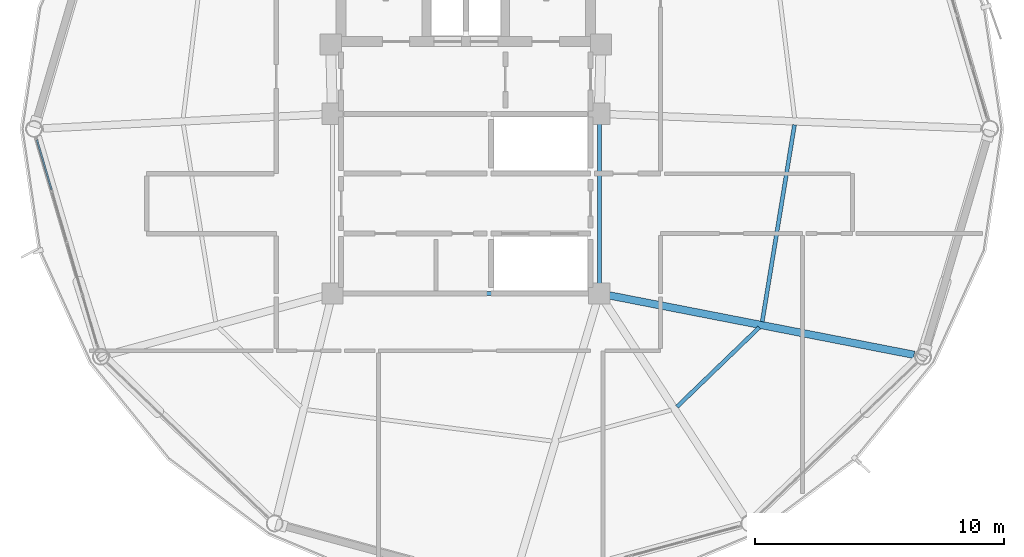
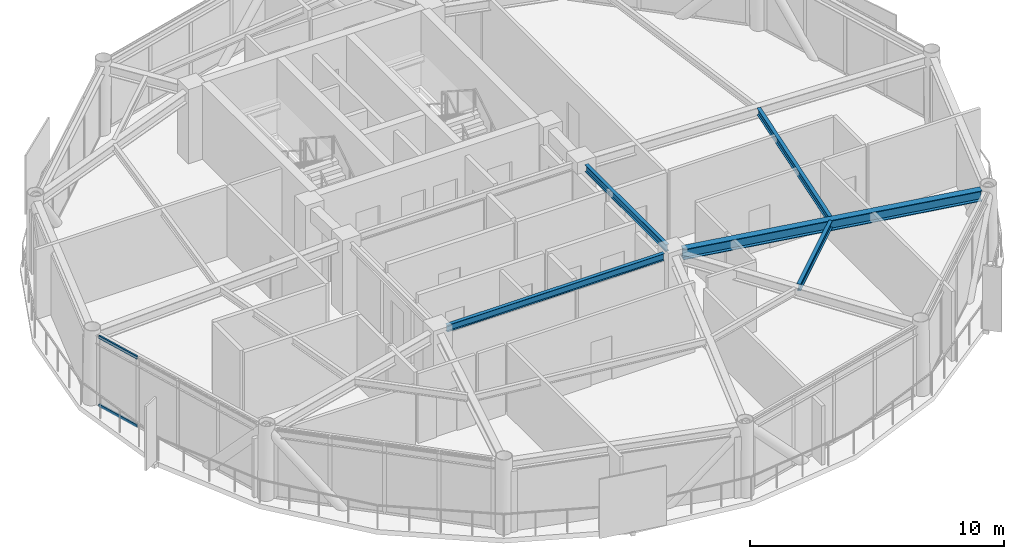
# One storey, part 10 of 28: 5 beams, 2 members, 1 element without a shape of its own.
"""IFC4 building model written with IfcOpenShell, lengths in metres."""

from ifc_helpers import new_model, si_unit, direction, frame, origin, origin_2d, place, context, subcontext, project, spatial, hollow_rectangle, i_section, extrude, material, layer, layer_set, material_profile, profile_set, type_object, element, aggregate, save


model = new_model("IFC4")

# Units and contexts
model_context = context("Model", 3, precision=1e-05, world=origin(), true_north=direction((0.0, 1.0)))
body_context = subcontext(model_context, "Body", "Model", "MODEL_VIEW")
ifc_project = project(units=[si_unit("LENGTHUNIT", "METRE"), si_unit("AREAUNIT", "SQUARE_METRE"), si_unit("VOLUMEUNIT", "CUBIC_METRE"), si_unit("PLANEANGLEUNIT", "RADIAN"), si_unit("MASSUNIT", "GRAM", prefix="KILO")], contexts=[model_context])

# Site, building, storey
site_placement = place(None, origin())
site = spatial("IfcSite", under=ifc_project, at=site_placement, CompositionType="ELEMENT")
building_placement = place(site_placement, origin())
building = spatial("IfcBuilding", under=site, at=building_placement, Name="Varnakorn Sky Granary", CompositionType="ELEMENT")
storey_placement = place(building_placement, frame((0.0, 0.0, 211.199951171875)))
storey = spatial("IfcBuildingStorey", under=building, at=storey_placement, Name="L53", CompositionType="ELEMENT", Elevation=211.199951171875)

# Beams
ifc_material_1 = material(Name="Steel S355JR", Category="steel")
ifc_material_profile_1 = material_profile(ifc_material_1, i_section(OverallWidth=0.300048828125, OverallDepth=0.5, WebThickness=0.014404296875, FlangeThickness=0.028076171875, at=origin_2d()), Name="HE 500 B")
ifc_profile_set_1 = profile_set([ifc_material_profile_1], Name="Steel S355JR")
beam_type_1 = type_object("IfcBeamType", Name="BM-RAD-Z4", PredefinedType="BEAM", material=ifc_profile_set_1)
beam_1_placement = place(storey_placement, frame((8.74755859375, -6.677490234375, 3.110107421875), z_axis=(0.981511979127, -0.191400717943, 0.0), x_axis=(0.191400717943, 0.981511979127, 0.0)))
element("IfcBeam", 1, at=beam_1_placement, inside=storey, type_object=beam_type_1, Name="Radial Floor Girder RG12 L53", PredefinedType="BEAM", context=body_context, shape_type="SweptSolid", body=[
    extrude(i_section(OverallWidth=0.300048828125, OverallDepth=0.5, WebThickness=0.014404296875, FlangeThickness=0.028076171875, at=origin_2d()), origin(), (0.0, 0.0, 1.0), 12.451904296875),
])
ifc_material_profile_2 = material_profile(ifc_material_1, i_section(OverallWidth=0.159912109375, OverallDepth=0.330078125, WebThickness=0.007568359375, FlangeThickness=0.011474609375, at=origin_2d()), Name="IPE 330")
ifc_profile_set_2 = profile_set([ifc_material_profile_2], Name="Steel S355JR")
beam_type_2 = type_object("IfcBeamType", Name="BM-SEC-Z4", PredefinedType="BEAM", material=ifc_profile_set_2)
beam_2_placement = place(storey_placement, frame((11.4677734375, -11.1396484375, 3.195068359375), z_axis=(0.719730859671, 0.694253188424, 0.0), x_axis=(-0.694253188424, 0.719730859671, 0.0)))
element("IfcBeam", 2, at=beam_2_placement, inside=storey, type_object=beam_type_2, Name="Secondary Floor Chord Beam MSB11 L53", PredefinedType="BEAM", context=body_context, shape_type="SweptSolid", body=[
    extrude(i_section(OverallWidth=0.159912109375, OverallDepth=0.330078125, WebThickness=0.007568359375, FlangeThickness=0.011474609375, at=origin_2d()), origin(), (0.0, 0.0, 1.0), 4.57080078125),
])
beam_3_placement = place(storey_placement, frame((14.881103515625, -7.73095703125, 3.195068359375), z_axis=(0.161784287866, 0.986826146897, 0.0), x_axis=(-0.986826146897, 0.161784287866, 0.0)))
element("IfcBeam", 3, at=beam_3_placement, inside=storey, type_object=beam_type_2, Name="Secondary Floor Chord Beam MSB12 L53", PredefinedType="BEAM", context=body_context, shape_type="SweptSolid", body=[
    extrude(i_section(OverallWidth=0.159912109375, OverallDepth=0.330078125, WebThickness=0.007568359375, FlangeThickness=0.011474609375, at=origin_2d()), origin(), (0.0, 0.0, 1.0), 7.996337890625),
])
beam_4_placement = place(storey_placement, frame((8.35009765625, 0.195068359375, 3.195068359375), z_axis=(0.0, -1.0, 0.0), x_axis=(1.0, 0.0, 0.0)))
element("IfcBeam", 4, at=beam_4_placement, inside=storey, type_object=beam_type_2, Name="Core Spine Framing Beam 4 L53", PredefinedType="BEAM", context=body_context, shape_type="SweptSolid", body=[
    extrude(i_section(OverallWidth=0.159912109375, OverallDepth=0.330078125, WebThickness=0.007568359375, FlangeThickness=0.011474609375, at=origin_2d()), origin(), (0.0, 0.0, 1.0), 6.39013671875),
])
beam_5_placement = place(storey_placement, frame((-1.945068359375, -6.60009765625, 3.195068359375), z_axis=(1.0, 0.0, 0.0), x_axis=(0.0, 1.0, 0.0)))
element("IfcBeam", 5, at=beam_5_placement, inside=storey, type_object=beam_type_2, Name="Core Spine Framing Beam 6 L53", PredefinedType="BEAM", context=body_context, shape_type="SweptSolid", body=[
    extrude(i_section(OverallWidth=0.159912109375, OverallDepth=0.330078125, WebThickness=0.007568359375, FlangeThickness=0.011474609375, at=origin_2d()), origin(), (0.0, 0.0, 1.0), 9.89013671875),
])

# Curtain wall, members
ifc_material_2 = material(Name="Anodised Bronze Aluminium Alloy 6063-T6", Category="aluminium")
ifc_layer = layer(ifc_material_2, 0.169921875, Name="Anodised Bronze Aluminium Alloy 6063-T6")
ifc_layer_set = layer_set([ifc_layer], Name="Anodised Bronze Aluminium Alloy 6063-T6")
curtain_wall_type = type_object("IfcCurtainWallType", Name="CW-LAB-1", PredefinedType="USERDEFINED", material=ifc_layer_set)
curtain_wall_placement = place(storey_placement, origin())
curtain_wall = element("IfcCurtainWall", 6, at=curtain_wall_placement, inside=storey, type_object=curtain_wall_type, Name="Unitised Curtain Wall CW5 CW-L53-B07", ObjectType="CURTAIN WALL", PredefinedType="USERDEFINED")
ifc_material_profile_3 = material_profile(ifc_material_2, hollow_rectangle(XDim=0.070068359375, YDim=0.139892578125, WallThickness=0.00341796875, at=origin_2d()), Name="ALU TRAN 70x140")
ifc_profile_set_3 = profile_set([ifc_material_profile_3], Name="Anodised Bronze Aluminium Alloy 6063-T6")
member_type = type_object("IfcMemberType", Name="CW-LAB-1-TRAN", PredefinedType="USERDEFINED", material=ifc_profile_set_3)
member_1_placement = place(storey_placement, frame((-13.605712890625, -2.4404296875, 0.03515625), z_axis=(-0.281938492365, 0.959432481482, 0.0), x_axis=(-0.959432481482, -0.281938492365, 0.0)))
member_1 = element("IfcMember", 7, at=member_1_placement, type_object=member_type, Name="CW5 transom 4.1", ObjectType="TRANSOM", PredefinedType="USERDEFINED", context=body_context, shape_type="SweptSolid", body=[
    extrude(hollow_rectangle(XDim=0.070068359375, YDim=0.139892578125, WallThickness=0.00341796875, at=origin_2d()), origin(), (0.0, 0.0, 1.0), 2.088623046875),
])
member_2_placement = place(storey_placement, frame((-13.605712890625, -2.4404296875, 3.324951171875), z_axis=(-0.281938492365, 0.959432481482, 0.0), x_axis=(-0.959432481482, -0.281938492365, 0.0)))
member_2 = element("IfcMember", 8, at=member_2_placement, type_object=member_type, Name="CW5 transom 4.2", ObjectType="TRANSOM", PredefinedType="USERDEFINED", context=body_context, shape_type="SweptSolid", body=[
    extrude(hollow_rectangle(XDim=0.070068359375, YDim=0.139892578125, WallThickness=0.00341796875, at=origin_2d()), origin(), (0.0, 0.0, 1.0), 2.088623046875),
])
aggregate(curtain_wall, [member_1, member_2])

save(model, "model.ifc")
